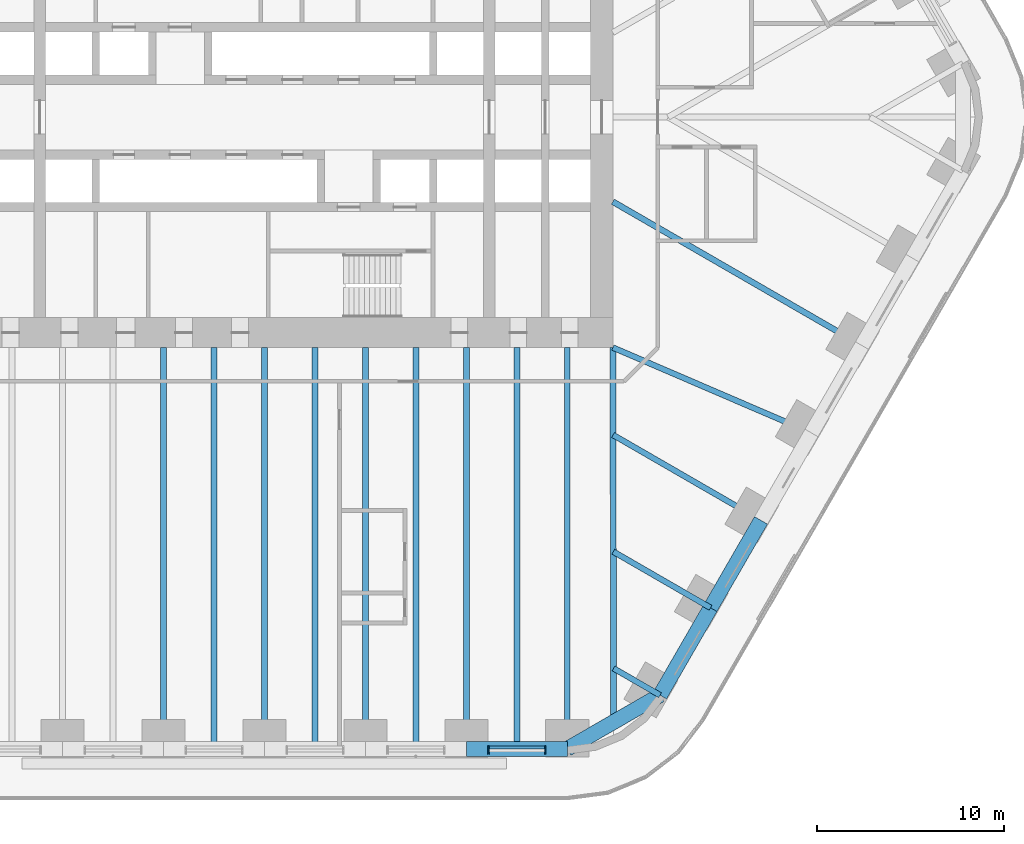
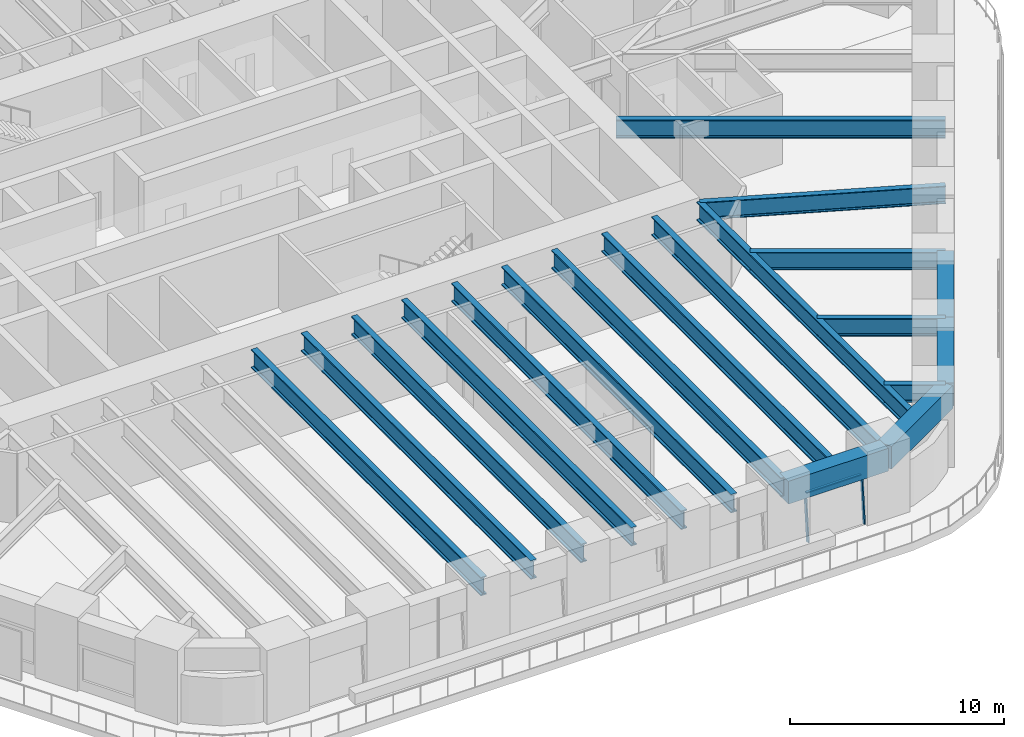
# One storey, part 5 of 23: 19 beams, 3 members, 1 element without a shape of its own.
"""IFC4 building model written with IfcOpenShell, lengths in metres."""

from ifc_helpers import new_model, si_unit, direction, frame, origin, origin_2d, place, context, subcontext, project, spatial, rectangle, i_section, extrude, material, material_profile, profile_set, type_object, element, aggregate, save


model = new_model("IFC4")

# Units and contexts
model_context = context("Model", 3, precision=1e-05, world=origin(), true_north=direction((0.0, 1.0)))
body_context = subcontext(model_context, "Body", "Model", "MODEL_VIEW")
ifc_project = project(units=[si_unit("LENGTHUNIT", "METRE"), si_unit("AREAUNIT", "SQUARE_METRE"), si_unit("VOLUMEUNIT", "CUBIC_METRE"), si_unit("PLANEANGLEUNIT", "RADIAN"), si_unit("MASSUNIT", "GRAM", prefix="KILO")], contexts=[model_context])

# Site, building, storey
site_placement = place(None, origin())
site = spatial("IfcSite", under=ifc_project, at=site_placement, CompositionType="ELEMENT")
building_placement = place(site_placement, origin())
building = spatial("IfcBuilding", under=site, at=building_placement, Name="Tarfa Lantern Tower", CompositionType="ELEMENT")
storey_placement = place(building_placement, frame((0.0, 0.0, 40.300048828125)))
storey = spatial("IfcBuildingStorey", under=building, at=storey_placement, Name="L08", CompositionType="ELEMENT", Elevation=40.300048828125)

# Curtain wall, members
ifc_material_1 = material(Name="Aluminium framed curtain wall", Category="aluminium")
curtain_wall_type = type_object("IfcCurtainWallType", Name="CW1 CANTED GLAZING LOW ZONE 2700", PredefinedType="USERDEFINED", material=ifc_material_1)
curtain_wall_placement = place(storey_placement, origin())
curtain_wall = element("IfcCurtainWall", 1, at=curtain_wall_placement, inside=storey, type_object=curtain_wall_type, Name="CW1 S L08", ObjectType="CURTAIN WALL", PredefinedType="USERDEFINED")
ifc_material_2 = material(Name="Aluminium mullion", Category="aluminium")
ifc_material_profile_1 = material_profile(ifc_material_2, rectangle(XDim=0.06494140625, YDim=0.199951171875, at=origin_2d()), Name="AL MULLION 65x200")
ifc_profile_set_1 = profile_set([ifc_material_profile_1], Name="Aluminium mullion")
member_type_1 = type_object("IfcMemberType", Name="CWM1 MULLION 65x200", PredefinedType="MULLION", material=ifc_profile_set_1)
member_1_placement = place(storey_placement, frame((11.959716796875, -33.89990234375, 0.0), z_axis=(0.0, 0.092199863775, 0.995740520979), x_axis=(-1.0, 0.0, 0.0)))
member_1 = element("IfcMember", 2, at=member_1_placement, type_object=member_type_1, Name="CW1 mullion 1", PredefinedType="MULLION", context=body_context, shape_type="SweptSolid", body=[
    extrude(rectangle(XDim=0.06494140625, YDim=0.199951171875, at=origin_2d()), origin(), (0.0, 0.0, 1.0), 2.71142578125),
])
member_2_placement = place(storey_placement, frame((14.9833984375, -33.89990234375, 0.0), z_axis=(0.0, 0.092199863775, 0.995740520979), x_axis=(-1.0, 0.0, 0.0)))
member_2 = element("IfcMember", 3, at=member_2_placement, type_object=member_type_1, Name="CW1 mullion 2", PredefinedType="MULLION", context=body_context, shape_type="SweptSolid", body=[
    extrude(rectangle(XDim=0.06494140625, YDim=0.199951171875, at=origin_2d()), origin(), (0.0, 0.0, 1.0), 2.71142578125),
])
ifc_material_3 = material(Name="Aluminium transom", Category="aluminium")
ifc_material_profile_2 = material_profile(ifc_material_3, rectangle(XDim=0.14990234375, YDim=0.06494140625, at=origin_2d()), Name="AL TRANSOM 150x65")
ifc_profile_set_2 = profile_set([ifc_material_profile_2], Name="Aluminium transom")
member_type_2 = type_object("IfcMemberType", Name="CWT1 TRANSOM 150x65", PredefinedType="USERDEFINED", material=ifc_profile_set_2)
member_3_placement = place(storey_placement, frame((11.9921875, -33.653076171875, 2.66748046875), z_axis=(1.0, 0.0, 0.0), x_axis=(0.0, 1.0, 0.0)))
member_3 = element("IfcMember", 4, at=member_3_placement, type_object=member_type_2, Name="CW1 transom 1.2", ObjectType="TRANSOM", PredefinedType="USERDEFINED", context=body_context, shape_type="SweptSolid", body=[
    extrude(rectangle(XDim=0.14990234375, YDim=0.06494140625, at=origin_2d()), origin(), (0.0, 0.0, 1.0), 2.958740234375),
])
aggregate(curtain_wall, [member_1, member_2, member_3])

# Beams
ifc_material_4 = material(Name="Concrete C80/95", Category="concrete")
ifc_material_profile_3 = material_profile(ifc_material_4, rectangle(XDim=0.800048828125, YDim=1.300048828125, at=origin_2d()), Name="RC 800x1300")
ifc_profile_set_3 = profile_set([ifc_material_profile_3], Name="Concrete C80/95")
beam_type_1 = type_object("IfcBeamType", Name="EB1 RC 800x1300", PredefinedType="SPANDREL", material=ifc_profile_set_3)
beam_1_placement = place(storey_placement, frame((10.777099609375, -33.719970703125, 3.349853515625), z_axis=(1.0, 0.0, 0.0), x_axis=(0.0, 1.0, 0.0)))
element("IfcBeam", 5, at=beam_1_placement, inside=storey, type_object=beam_type_1, Name="Edge beam S5", PredefinedType="SPANDREL", context=body_context, shape_type="SweptSolid", body=[
    extrude(rectangle(XDim=0.800048828125, YDim=1.300048828125, at=origin_2d()), origin(), (0.0, 0.0, 1.0), 5.388671875),
])
beam_2_placement = place(storey_placement, frame((16.165771484375, -33.719970703125, 3.349853515625), z_axis=(0.866033479681, 0.499986011877, 0.0), x_axis=(-0.499986011877, 0.866033479681, 0.0)))
element("IfcBeam", 6, at=beam_2_placement, inside=storey, type_object=beam_type_1, Name="Edge beam S6", PredefinedType="SPANDREL", context=body_context, shape_type="SweptSolid", body=[
    extrude(rectangle(XDim=0.800048828125, YDim=1.300048828125, at=origin_2d()), origin(), (0.0, 0.0, 1.0), 5.719970703125),
])
for number, where, z_axis, x_axis, name in (
    (7, (21.119384765625, -30.860107421875, 3.349853515625), (0.499998287579, 0.866026392449, 0.0), (-0.866026392449, 0.499998287579, 0.0), "Edge beam SE0"),
    (8, (23.813720703125, -26.193359375, 3.349853515625), (0.499998287579, 0.866026392449, 0.0), (-0.866026392449, 0.499998287579, 0.0), "Edge beam SE1"),
):
    element("IfcBeam", number, at=place(storey_placement, frame(where, z_axis=z_axis, x_axis=x_axis)), inside=storey, type_object=beam_type_1, Name=name, PredefinedType="SPANDREL", context=body_context, shape_type="SweptSolid", body=[
        extrude(rectangle(XDim=0.800048828125, YDim=1.300048828125, at=origin_2d()), origin(), (0.0, 0.0, 1.0), 5.388671875),
    ])
ifc_material_5 = material(Name="Steel S460M", Category="steel")
ifc_material_profile_4 = material_profile(ifc_material_5, i_section(OverallWidth=0.302001953125, OverallDepth=1.008056640625, WebThickness=0.02099609375, FlangeThickness=0.0400390625, FilletRadius=0.030029296875, at=origin_2d()), Name="UB1016x305x349")
ifc_profile_set_4 = profile_set([ifc_material_profile_4], Name="Steel S460M")
beam_type_2 = type_object("IfcBeamType", Name="UB1016x305x349", PredefinedType="BEAM", material=ifc_profile_set_4)
beam_3_placement = place(storey_placement, frame((21.119384765625, -30.860107421875, 3.495849609375), z_axis=(-0.866012580594, 0.500022209759, 0.0), x_axis=(-0.500022209759, -0.866012580594, 0.0)))
element("IfcBeam", 9, at=beam_3_placement, inside=storey, type_object=beam_type_2, Name="Floor beam SE0", PredefinedType="BEAM", context=body_context, shape_type="SweptSolid", body=[
    extrude(i_section(OverallWidth=0.302001953125, OverallDepth=1.008056640625, WebThickness=0.02099609375, FlangeThickness=0.0400390625, FilletRadius=0.030029296875, at=origin_2d()), origin(), (0.0, 0.0, 1.0), 2.866943359375),
])
beam_4_placement = place(storey_placement, frame((23.813720703125, -26.193359375, 3.495849609375), z_axis=(-0.866015997389, 0.500016292001, 0.0), x_axis=(-0.500016292001, -0.866015997389, 0.0)))
element("IfcBeam", 10, at=beam_4_placement, inside=storey, type_object=beam_type_2, Name="Floor beam SE1", PredefinedType="BEAM", context=body_context, shape_type="SweptSolid", body=[
    extrude(i_section(OverallWidth=0.302001953125, OverallDepth=1.008056640625, WebThickness=0.02099609375, FlangeThickness=0.0400390625, FilletRadius=0.030029296875, at=origin_2d()), origin(), (0.0, 0.0, 1.0), 5.993408203125),
])
beam_5_placement = place(storey_placement, frame((26.508056640625, -21.526611328125, 3.495849609375), z_axis=(-0.866035355799, 0.49998276221, 0.0), x_axis=(-0.49998276221, -0.866035355799, 0.0)))
element("IfcBeam", 11, at=beam_5_placement, inside=storey, type_object=beam_type_2, Name="Floor beam SE2", PredefinedType="BEAM", context=body_context, shape_type="SweptSolid", body=[
    extrude(i_section(OverallWidth=0.302001953125, OverallDepth=1.008056640625, WebThickness=0.02099609375, FlangeThickness=0.0400390625, FilletRadius=0.030029296875, at=origin_2d()), origin(), (0.0, 0.0, 1.0), 9.119873046875),
])
beam_6_placement = place(storey_placement, frame((29.202392578125, -16.860107421875, 3.495849609375), z_axis=(-0.918635483867, 0.395106122175, 0.0), x_axis=(-0.395106122175, -0.918635483867, 0.0)))
element("IfcBeam", 12, at=beam_6_placement, inside=storey, type_object=beam_type_2, Name="Floor beam SE3", PredefinedType="BEAM", context=body_context, shape_type="SweptSolid", body=[
    extrude(i_section(OverallWidth=0.302001953125, OverallDepth=1.008056640625, WebThickness=0.02099609375, FlangeThickness=0.0400390625, FilletRadius=0.030029296875, at=origin_2d()), origin(), (0.0, 0.0, 1.0), 11.541259765625),
])
ifc_material_profile_5 = material_profile(ifc_material_5, i_section(OverallWidth=0.314208984375, OverallDepth=1.055908203125, WebThickness=0.035888671875, FlangeThickness=0.06396484375, FilletRadius=0.030029296875, at=origin_2d()), Name="UB1016x305x584")
ifc_profile_set_5 = profile_set([ifc_material_profile_5], Name="Steel S460M")
beam_type_3 = type_object("IfcBeamType", Name="UB1016x305x584", PredefinedType="BEAM", material=ifc_profile_set_5)
beam_7_placement = place(storey_placement, frame((18.60009765625, -12.300048828125, 3.471923828125), z_axis=(0.00212508222, -0.99999774201, 0.0), x_axis=(0.99999774201, 0.00212508222, 0.0)))
element("IfcBeam", 13, at=beam_7_placement, inside=storey, type_object=beam_type_3, Name="Hip girder SE", PredefinedType="BEAM", context=body_context, shape_type="SweptSolid", body=[
    extrude(i_section(OverallWidth=0.314208984375, OverallDepth=1.055908203125, WebThickness=0.035888671875, FlangeThickness=0.06396484375, FilletRadius=0.030029296875, at=origin_2d()), origin(), (0.0, 0.0, 1.0), 19.989990234375),
])
for number, where, z_axis, x_axis, name in (
    (14, (-5.388671875, -33.719970703125, 3.471923828125), (0.0, 1.0, 0.0), (-1.0, 0.0, 0.0), "Floor beam S2"),
    (15, (0.0, -33.719970703125, 3.471923828125), (0.0, 1.0, 0.0), (-1.0, 0.0, 0.0), "Floor beam S3"),
    (16, (5.388671875, -33.719970703125, 3.471923828125), (0.0, 1.0, 0.0), (-1.0, 0.0, 0.0), "Floor beam S4"),
    (17, (10.777099609375, -33.719970703125, 3.471923828125), (0.0, 1.0, 0.0), (-1.0, 0.0, 0.0), "Floor beam S5"),
    (18, (16.165771484375, -33.719970703125, 3.471923828125), (0.0, 1.0, 0.0), (-1.0, 0.0, 0.0), "Floor beam S6"),
):
    element("IfcBeam", number, at=place(storey_placement, frame(where, z_axis=z_axis, x_axis=x_axis)), inside=storey, type_object=beam_type_3, Name=name, PredefinedType="BEAM", context=body_context, shape_type="SweptSolid", body=[
        extrude(i_section(OverallWidth=0.314208984375, OverallDepth=1.055908203125, WebThickness=0.035888671875, FlangeThickness=0.06396484375, FilletRadius=0.030029296875, at=origin_2d()), origin(), (0.0, 0.0, 1.0), 21.419921875),
    ])
beam_8_placement = place(storey_placement, frame((31.896728515625, -12.193359375, 3.471923828125), z_axis=(-0.866026971665, 0.499997284341, 0.0), x_axis=(-0.499997284341, -0.866026971665, 0.0)))
element("IfcBeam", 19, at=beam_8_placement, inside=storey, type_object=beam_type_3, Name="Floor beam SE4", PredefinedType="BEAM", context=body_context, shape_type="SweptSolid", body=[
    extrude(i_section(OverallWidth=0.314208984375, OverallDepth=1.055908203125, WebThickness=0.035888671875, FlangeThickness=0.06396484375, FilletRadius=0.030029296875, at=origin_2d()), origin(), (0.0, 0.0, 1.0), 15.353515625),
])
for number, where, z_axis, x_axis, name in (
    (20, (-2.6943359375, -33.719970703125, 3.471923828125), (0.0, 1.0, 0.0), (-1.0, 0.0, 0.0), "Floor beam S2M"),
    (21, (2.6943359375, -33.719970703125, 3.471923828125), (0.0, 1.0, 0.0), (-1.0, 0.0, 0.0), "Floor beam S3M"),
    (22, (8.0830078125, -33.719970703125, 3.471923828125), (0.0, 1.0, 0.0), (-1.0, 0.0, 0.0), "Floor beam S4M"),
    (23, (13.471435546875, -33.719970703125, 3.471923828125), (0.0, 1.0, 0.0), (-1.0, 0.0, 0.0), "Floor beam S5M"),
):
    element("IfcBeam", number, at=place(storey_placement, frame(where, z_axis=z_axis, x_axis=x_axis)), inside=storey, type_object=beam_type_3, Name=name, PredefinedType="BEAM", context=body_context, shape_type="SweptSolid", body=[
        extrude(i_section(OverallWidth=0.314208984375, OverallDepth=1.055908203125, WebThickness=0.035888671875, FlangeThickness=0.06396484375, FilletRadius=0.030029296875, at=origin_2d()), origin(), (0.0, 0.0, 1.0), 21.419921875),
    ])

save(model, "model.ifc")
